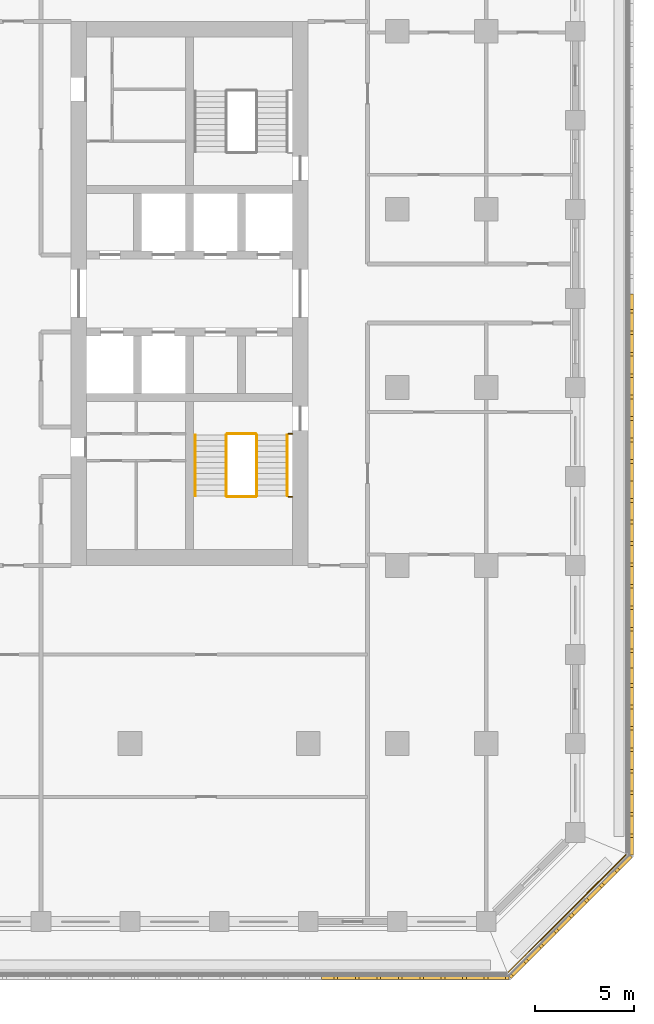
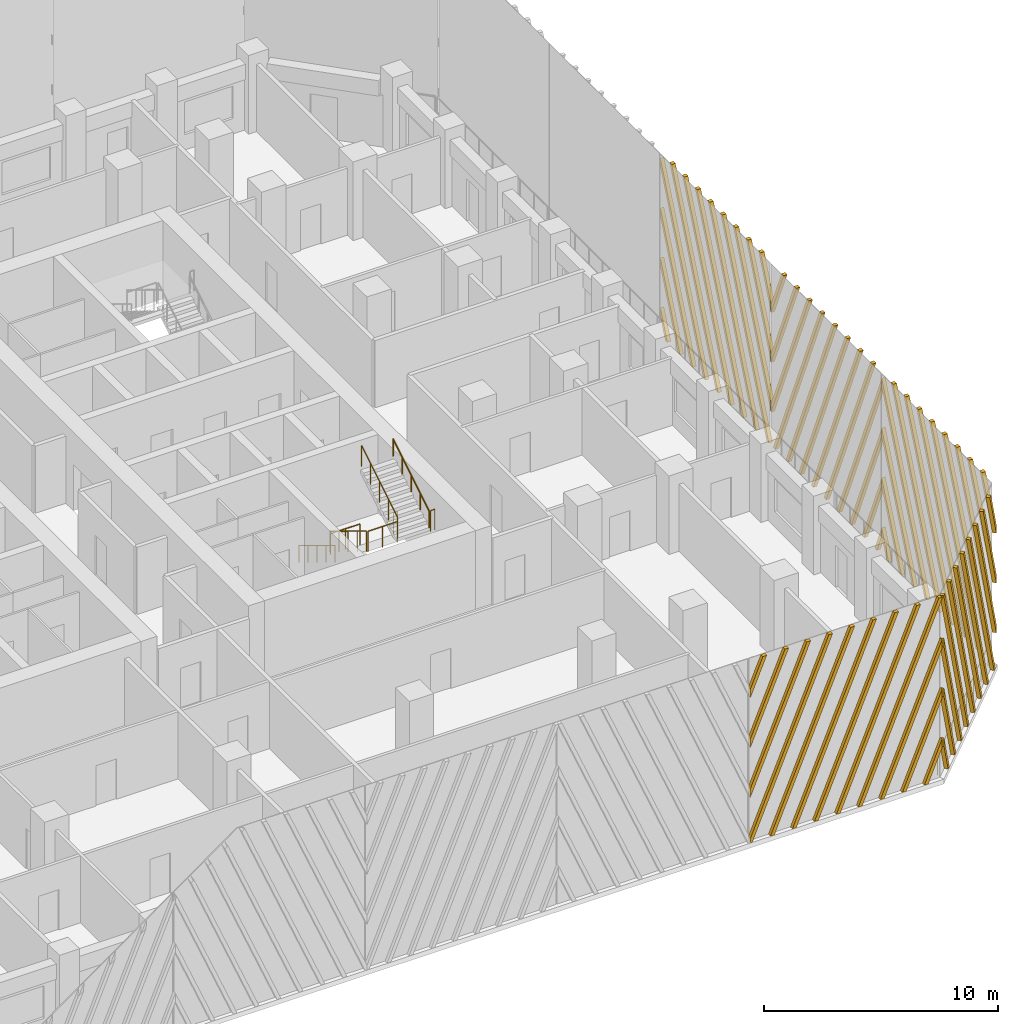
# One storey, part 12 of 17: 9 railings, 5 shading devices.
"""IFC4 building model written with IfcOpenShell, lengths in metres."""

from ifc_helpers import new_model, si_unit, direction, frame, origin, origin_2d, place, context, subcontext, project, spatial, polyline, circle, outline, extrude, source, transform, mapped, material, type_object, element, save


model = new_model("IFC4")

# Units and contexts
model_context = context("Model", 3, precision=1e-05, world=origin(), true_north=direction((0.0, 1.0)))
body_context = subcontext(model_context, "Body", "Model", "MODEL_VIEW")
ifc_project = project(units=[si_unit("LENGTHUNIT", "METRE"), si_unit("AREAUNIT", "SQUARE_METRE"), si_unit("VOLUMEUNIT", "CUBIC_METRE"), si_unit("PLANEANGLEUNIT", "RADIAN"), si_unit("MASSUNIT", "GRAM", prefix="KILO")], contexts=[model_context])

# Site, building, storey
site_placement = place(None, origin())
site = spatial("IfcSite", under=ifc_project, at=site_placement, CompositionType="ELEMENT")
building_placement = place(site_placement, origin())
building = spatial("IfcBuilding", under=site, at=building_placement, Name="Corbel Stack Research Tower", CompositionType="ELEMENT")
storey_placement = place(building_placement, frame((0.0, 0.0, 216.10009765625)))
storey = spatial("IfcBuildingStorey", under=building, at=storey_placement, Name="L49", CompositionType="ELEMENT", Elevation=216.10009765625)

# Railings
ifc_material_1 = material(Name="Steel S355", Category="steel")
railing_type_1 = type_object("IfcRailingType", Name="Stair guard 1100", PredefinedType="GUARDRAIL", material=ifc_material_1)
railing_1_placement = place(storey_placement, frame((13.85009765625, -2.39990234375, 0.170654296875)))
element("IfcRailing", 1, at=railing_1_placement, inside=storey, type_object=railing_type_1, Name="L49 ST-E1 stair guard 1", PredefinedType="GUARDRAIL", context=body_context, shape_type="SweptSolid", body=[
    extrude(circle(Radius=0.02392578125, at=origin_2d()), frame((0.0, 0.0, 1.076171875), z_axis=(0.0, -0.853666305674, 0.52082035152), x_axis=(1.0, 0.0, 0.0)), (0.0, 0.0, 1.0), 3.608154296875),
    extrude(circle(Radius=0.02099609375, at=origin_2d()), origin(), (0.0, 0.0, 1.0), 1.052001953125),
    extrude(circle(Radius=0.02099609375, at=origin_2d()), frame((0.0, -0.77001953125, 0.4697265625)), (0.0, 0.0, 1.0), 1.052001953125),
    extrude(circle(Radius=0.02099609375, at=origin_2d()), frame((0.0, -1.5400390625, 0.939453125)), (0.0, 0.0, 1.0), 1.052001953125),
    extrude(circle(Radius=0.02099609375, at=origin_2d()), frame((0.0, -2.31005859375, 1.409423828125)), (0.0, 0.0, 1.0), 1.052001953125),
    extrude(circle(Radius=0.02099609375, at=origin_2d()), frame((0.0, -3.080078125, 1.879150390625)), (0.0, 0.0, 1.0), 1.052001953125),
])
railing_2_placement = place(storey_placement, frame((13.89990234375, -5.530029296875, 2.0498046875)))
element("IfcRailing", 2, at=railing_2_placement, inside=storey, type_object=railing_type_1, Name="L49 ST-E1 stair guard 2", PredefinedType="GUARDRAIL", context=body_context, shape_type="SweptSolid", body=[
    extrude(circle(Radius=0.02392578125, at=origin_2d()), frame((0.0, 0.0, 1.076171875), z_axis=(1.0, 0.0, 0.0), x_axis=(0.0, 1.0, 0.0)), (0.0, 0.0, 1.0), 1.4501953125),
    extrude(circle(Radius=0.02099609375, at=origin_2d()), origin(), (0.0, 0.0, 1.0), 1.052001953125),
    extrude(circle(Radius=0.02099609375, at=origin_2d()), frame((0.72509765625, 0.0, 0.0)), (0.0, 0.0, 1.0), 1.052001953125),
    extrude(circle(Radius=0.02099609375, at=origin_2d()), frame((1.4501953125, 0.0, 0.0)), (0.0, 0.0, 1.0), 1.052001953125),
])
railing_3_placement = place(storey_placement, frame((17.0, -5.530029296875, 2.0498046875)))
element("IfcRailing", 3, at=railing_3_placement, inside=storey, type_object=railing_type_1, Name="L49 ST-E1 stair guard 3", PredefinedType="GUARDRAIL", context=body_context, shape_type="SweptSolid", body=[
    extrude(circle(Radius=0.02392578125, at=origin_2d()), frame((0.0, 0.0, 1.076171875), z_axis=(1.0, 0.0, 0.0), x_axis=(0.0, 1.0, 0.0)), (0.0, 0.0, 1.0), 0.199951171875),
    extrude(circle(Radius=0.02099609375, at=origin_2d()), origin(), (0.0, 0.0, 1.0), 1.052001953125),
    extrude(circle(Radius=0.02099609375, at=origin_2d()), frame((0.199951171875, 0.0, 0.0)), (0.0, 0.0, 1.0), 1.052001953125),
])
railing_4_placement = place(storey_placement, frame((15.39990234375, -5.47998046875, 2.220703125)))
element("IfcRailing", 4, at=railing_4_placement, inside=storey, type_object=railing_type_1, Name="L49 ST-E1 stair guard 4", PredefinedType="GUARDRAIL", context=body_context, shape_type="SweptSolid", body=[
    extrude(circle(Radius=0.02392578125, at=origin_2d()), frame((0.0, 0.0, 1.076171875), z_axis=(0.0, 0.853666305674, 0.52082035152), x_axis=(-1.0, 0.0, 0.0)), (0.0, 0.0, 1.0), 3.608154296875),
    extrude(circle(Radius=0.02099609375, at=origin_2d()), origin(), (0.0, 0.0, 1.0), 1.052001953125),
    extrude(circle(Radius=0.02099609375, at=origin_2d()), frame((0.0, 0.77001953125, 0.4697265625)), (0.0, 0.0, 1.0), 1.052001953125),
    extrude(circle(Radius=0.02099609375, at=origin_2d()), frame((0.0, 1.5400390625, 0.939453125)), (0.0, 0.0, 1.0), 1.052001953125),
    extrude(circle(Radius=0.02099609375, at=origin_2d()), frame((0.0, 2.31005859375, 1.409423828125)), (0.0, 0.0, 1.0), 1.052001953125),
    extrude(circle(Radius=0.02099609375, at=origin_2d()), frame((0.0, 3.080078125, 1.879150390625)), (0.0, 0.0, 1.0), 1.052001953125),
])
railing_5_placement = place(storey_placement, frame((13.89990234375, -2.35009765625, 0.0)))
element("IfcRailing", 5, at=railing_5_placement, inside=storey, type_object=railing_type_1, Name="L49 ST-E1 stair guard 5", PredefinedType="GUARDRAIL", context=body_context, shape_type="SweptSolid", body=[
    extrude(circle(Radius=0.02392578125, at=origin_2d()), frame((0.0, 0.0, 1.076171875), z_axis=(1.0, 0.0, 0.0), x_axis=(0.0, 1.0, 0.0)), (0.0, 0.0, 1.0), 1.4501953125),
    extrude(circle(Radius=0.02099609375, at=origin_2d()), origin(), (0.0, 0.0, 1.0), 1.052001953125),
    extrude(circle(Radius=0.02099609375, at=origin_2d()), frame((0.72509765625, 0.0, 0.0)), (0.0, 0.0, 1.0), 1.052001953125),
    extrude(circle(Radius=0.02099609375, at=origin_2d()), frame((1.4501953125, 0.0, 0.0)), (0.0, 0.0, 1.0), 1.052001953125),
])
railing_6_placement = place(storey_placement, frame((17.0, -2.35009765625, 0.0)))
element("IfcRailing", 6, at=railing_6_placement, inside=storey, type_object=railing_type_1, Name="L49 ST-E1 stair guard 6", PredefinedType="GUARDRAIL", context=body_context, shape_type="SweptSolid", body=[
    extrude(circle(Radius=0.02392578125, at=origin_2d()), frame((0.0, 0.0, 1.076171875), z_axis=(1.0, 0.0, 0.0), x_axis=(0.0, 1.0, 0.0)), (0.0, 0.0, 1.0), 0.199951171875),
    extrude(circle(Radius=0.02099609375, at=origin_2d()), origin(), (0.0, 0.0, 1.0), 1.052001953125),
    extrude(circle(Radius=0.02099609375, at=origin_2d()), frame((0.199951171875, 0.0, 0.0)), (0.0, 0.0, 1.0), 1.052001953125),
])
ifc_material_2 = material(Name="Steel S355", Category="steel")
railing_type_2 = type_object("IfcRailingType", Name="Stair handrail 900", PredefinedType="HANDRAIL", material=ifc_material_2)
railing_7_placement = place(storey_placement, frame((12.300048828125, -2.39990234375, 0.170654296875)))
element("IfcRailing", 7, at=railing_7_placement, inside=storey, type_object=railing_type_2, Name="L49 ST-E1 stair handrail 1", PredefinedType="HANDRAIL", context=body_context, shape_type="SweptSolid", body=[
    extrude(circle(Radius=0.02392578125, at=origin_2d()), frame((0.0, 0.0, 0.8759765625), z_axis=(0.0, -0.853666305674, 0.52082035152), x_axis=(1.0, 0.0, 0.0)), (0.0, 0.0, 1.0), 3.608154296875),
    extrude(circle(Radius=0.02099609375, at=origin_2d()), origin(), (0.0, 0.0, 1.0), 0.851806640625),
    extrude(circle(Radius=0.02099609375, at=origin_2d()), frame((0.0, -0.77001953125, 0.4697265625)), (0.0, 0.0, 1.0), 0.851806640625),
    extrude(circle(Radius=0.02099609375, at=origin_2d()), frame((0.0, -1.5400390625, 0.939453125)), (0.0, 0.0, 1.0), 0.851806640625),
    extrude(circle(Radius=0.02099609375, at=origin_2d()), frame((0.0, -2.31005859375, 1.409423828125)), (0.0, 0.0, 1.0), 0.851806640625),
    extrude(circle(Radius=0.02099609375, at=origin_2d()), frame((0.0, -3.080078125, 1.879150390625)), (0.0, 0.0, 1.0), 0.851806640625),
])
railing_8_placement = place(storey_placement, frame((16.949951171875, -5.47998046875, 2.220703125)))
element("IfcRailing", 8, at=railing_8_placement, inside=storey, type_object=railing_type_2, Name="L49 ST-E1 stair handrail 2", PredefinedType="HANDRAIL", context=body_context, shape_type="SweptSolid", body=[
    extrude(circle(Radius=0.02392578125, at=origin_2d()), frame((0.0, 0.0, 0.8759765625), z_axis=(0.0, 0.853666305674, 0.52082035152), x_axis=(-1.0, 0.0, 0.0)), (0.0, 0.0, 1.0), 3.608154296875),
    extrude(circle(Radius=0.02099609375, at=origin_2d()), origin(), (0.0, 0.0, 1.0), 0.851806640625),
    extrude(circle(Radius=0.02099609375, at=origin_2d()), frame((0.0, 0.77001953125, 0.4697265625)), (0.0, 0.0, 1.0), 0.851806640625),
    extrude(circle(Radius=0.02099609375, at=origin_2d()), frame((0.0, 1.5400390625, 0.939453125)), (0.0, 0.0, 1.0), 0.851806640625),
    extrude(circle(Radius=0.02099609375, at=origin_2d()), frame((0.0, 2.31005859375, 1.409423828125)), (0.0, 0.0, 1.0), 0.851806640625),
    extrude(circle(Radius=0.02099609375, at=origin_2d()), frame((0.0, 3.080078125, 1.879150390625)), (0.0, 0.0, 1.0), 0.851806640625),
])
ifc_material_3 = material(Name="Powder-coated steel guard", Category="steel")
railing_type_3 = type_object("IfcRailingType", Name="Steel and glass guard 1100", PredefinedType="GUARDRAIL", material=ifc_material_3)
railing_9_placement = place(storey_placement, frame((28.127685546875, -29.54931640625, 0.0)))
element("IfcRailing", 9, at=railing_9_placement, inside=storey, type_object=railing_type_3, Name="Loggia guard L49 SE", PredefinedType="GUARDRAIL", context=body_context, shape_type="SweptSolid", body=[
    extrude(circle(Radius=0.02392578125, at=origin_2d()), frame((0.0, 0.0, 1.076171875), z_axis=(0.707106781187, 0.707106781187, 0.0), x_axis=(-0.707106781187, 0.707106781187, 0.0)), (0.0, 0.0, 1.0), 8.37451171875),
    extrude(circle(Radius=0.02099609375, at=origin_2d()), origin(), (0.0, 0.0, 1.0), 1.052001953125),
    extrude(circle(Radius=0.02099609375, at=origin_2d()), frame((0.845947265625, 0.845947265625, 0.0)), (0.0, 0.0, 1.0), 1.052001953125),
    extrude(circle(Radius=0.02099609375, at=origin_2d()), frame((1.69189453125, 1.69189453125, 0.0)), (0.0, 0.0, 1.0), 1.052001953125),
    extrude(circle(Radius=0.02099609375, at=origin_2d()), frame((2.537841796875, 2.537841796875, 0.0)), (0.0, 0.0, 1.0), 1.052001953125),
    extrude(circle(Radius=0.02099609375, at=origin_2d()), frame((3.3837890625, 3.3837890625, 0.0)), (0.0, 0.0, 1.0), 1.052001953125),
    extrude(circle(Radius=0.02099609375, at=origin_2d()), frame((4.229736328125, 4.229736328125, 0.0)), (0.0, 0.0, 1.0), 1.052001953125),
    extrude(circle(Radius=0.02099609375, at=origin_2d()), frame((5.07568359375, 5.07568359375, 0.0)), (0.0, 0.0, 1.0), 1.052001953125),
    extrude(circle(Radius=0.02099609375, at=origin_2d()), frame((5.921630859375, 5.921630859375, 0.0)), (0.0, 0.0, 1.0), 1.052001953125),
])

# Shading devices
ifc_material_4 = material(Name="Precast terracotta", Category="masonry")
shading_device_type = type_object("IfcShadingDeviceType", Name="Terracotta screen panel", PredefinedType="USERDEFINED", material=ifc_material_4)
shared_shape_1 = source(origin(), body_context, "Body", "SweptSolid", [
    extrude(outline(polyline([(0.80859375, 9.5), (0.618408203125, 9.5), (0.0, 8.01904296875), (0.0, 7.564208984375), (0.80859375, 9.5)])), frame((0.0, 0.0, 0.0), z_axis=(0.0, -1.0, 0.0), x_axis=(1.0, 0.0, 0.0)), (0.0, 0.0, 1.0), 0.179931640625),
    extrude(outline(polyline([(1.893310546875, 9.5), (1.703125, 9.5), (0.0, 5.421875), (0.0, 4.966796875), (1.893310546875, 9.5)])), frame((0.0, 0.0, 0.0), z_axis=(0.0, -1.0, 0.0), x_axis=(1.0, 0.0, 0.0)), (0.0, 0.0, 1.0), 0.179931640625),
    extrude(outline(polyline([(2.977783203125, 9.5), (2.787841796875, 9.5), (0.0, 2.82470703125), (0.0, 2.36962890625), (2.977783203125, 9.5)])), frame((0.0, 0.0, 0.0), z_axis=(0.0, -1.0, 0.0), x_axis=(1.0, 0.0, 0.0)), (0.0, 0.0, 1.0), 0.179931640625),
    extrude(outline(polyline([(0.094970703125, 0.0), (4.0625, 9.5), (3.87255859375, 9.5), (0.0, 0.2275390625), (0.0, 0.0), (0.094970703125, 0.0)])), frame((0.0, 0.0, 0.0), z_axis=(0.0, -1.0, 0.0), x_axis=(1.0, 0.0, 0.0)), (0.0, 0.0, 1.0), 0.179931640625),
    extrude(outline(polyline([(1.1796875, 0.0), (5.147216796875, 9.5), (4.957275390625, 9.5), (0.98974609375, 0.0), (1.1796875, 0.0)])), frame((0.0, 0.0, 0.0), z_axis=(0.0, -1.0, 0.0), x_axis=(1.0, 0.0, 0.0)), (0.0, 0.0, 1.0), 0.179931640625),
    extrude(outline(polyline([(2.264404296875, 0.0), (6.231689453125, 9.5), (6.041748046875, 9.5), (2.07421875, 0.0), (2.264404296875, 0.0)])), frame((0.0, 0.0, 0.0), z_axis=(0.0, -1.0, 0.0), x_axis=(1.0, 0.0, 0.0)), (0.0, 0.0, 1.0), 0.179931640625),
    extrude(outline(polyline([(3.34912109375, 0.0), (7.31640625, 9.5), (7.12646484375, 9.5), (3.158935546875, 0.0), (3.34912109375, 0.0)])), frame((0.0, 0.0, 0.0), z_axis=(0.0, -1.0, 0.0), x_axis=(1.0, 0.0, 0.0)), (0.0, 0.0, 1.0), 0.179931640625),
    extrude(outline(polyline([(4.43359375, 0.0), (8.401123046875, 9.5), (8.211181640625, 9.5), (4.24365234375, 0.0), (4.43359375, 0.0)])), frame((0.0, 0.0, 0.0), z_axis=(0.0, -1.0, 0.0), x_axis=(1.0, 0.0, 0.0)), (0.0, 0.0, 1.0), 0.179931640625),
    extrude(outline(polyline([(5.518310546875, 0.0), (9.45556640625, 9.427734375), (9.45556640625, 9.5), (9.2958984375, 9.5), (5.328369140625, 0.0), (5.518310546875, 0.0)])), frame((0.0, 0.0, 0.0), z_axis=(0.0, -1.0, 0.0), x_axis=(1.0, 0.0, 0.0)), (0.0, 0.0, 1.0), 0.179931640625),
    extrude(outline(polyline([(6.60302734375, 0.0), (9.45556640625, 6.83056640625), (9.45556640625, 7.285400390625), (6.4130859375, 0.0), (6.60302734375, 0.0)])), frame((0.0, 0.0, 0.0), z_axis=(0.0, -1.0, 0.0), x_axis=(1.0, 0.0, 0.0)), (0.0, 0.0, 1.0), 0.179931640625),
    extrude(outline(polyline([(7.687744140625, 0.0), (9.45556640625, 4.2333984375), (9.45556640625, 4.688232421875), (7.497802734375, 0.0), (7.687744140625, 0.0)])), frame((0.0, 0.0, 0.0), z_axis=(0.0, -1.0, 0.0), x_axis=(1.0, 0.0, 0.0)), (0.0, 0.0, 1.0), 0.179931640625),
    extrude(outline(polyline([(8.772216796875, 0.0), (9.45556640625, 1.635986328125), (9.45556640625, 2.091064453125), (8.582275390625, 0.0), (8.772216796875, 0.0)])), frame((0.0, 0.0, 0.0), z_axis=(0.0, -1.0, 0.0), x_axis=(1.0, 0.0, 0.0)), (0.0, 0.0, 1.0), 0.179931640625),
])
shading_device_1_placement = place(storey_placement, frame((18.68359375, -29.75, 0.0), z_axis=(0.0, 0.0, 1.0), x_axis=(1.0, 0.0, 0.0)))
element("IfcShadingDevice", 10, at=shading_device_1_placement, inside=storey, type_object=shading_device_type, Name="Terracotta screen L49 S5", ObjectType="SCREEN", PredefinedType="USERDEFINED", context=body_context, shape_type="MappedRepresentation", body=[
    mapped(shared_shape_1, transform((0.0, 0.0, 0.0))),
])
shared_shape_2 = source(origin(), body_context, "Body", "SweptSolid", [
    extrude(outline(polyline([(0.873291015625, 0.0), (0.0, 2.091064453125), (0.0, 1.635986328125), (0.683349609375, 0.0), (0.873291015625, 0.0)])), frame((0.0, 0.0, 0.0), z_axis=(0.0, -1.0, 0.0), x_axis=(1.0, 0.0, 0.0)), (0.0, 0.0, 1.0), 0.179931640625),
    extrude(outline(polyline([(1.9580078125, 0.0), (0.0, 4.688232421875), (0.0, 4.2333984375), (1.76806640625, 0.0), (1.9580078125, 0.0)])), frame((0.0, 0.0, 0.0), z_axis=(0.0, -1.0, 0.0), x_axis=(1.0, 0.0, 0.0)), (0.0, 0.0, 1.0), 0.179931640625),
    extrude(outline(polyline([(3.04248046875, 0.0), (0.0, 7.285400390625), (0.0, 6.83056640625), (2.8525390625, 0.0), (3.04248046875, 0.0)])), frame((0.0, 0.0, 0.0), z_axis=(0.0, -1.0, 0.0), x_axis=(1.0, 0.0, 0.0)), (0.0, 0.0, 1.0), 0.179931640625),
    extrude(outline(polyline([(4.127197265625, 0.0), (0.159912109375, 9.5), (0.0, 9.5), (0.0, 9.427734375), (3.937255859375, 0.0), (4.127197265625, 0.0)])), frame((0.0, 0.0, 0.0), z_axis=(0.0, -1.0, 0.0), x_axis=(1.0, 0.0, 0.0)), (0.0, 0.0, 1.0), 0.179931640625),
    extrude(outline(polyline([(5.2119140625, 0.0), (1.244384765625, 9.5), (1.054443359375, 9.5), (5.02197265625, 0.0), (5.2119140625, 0.0)])), frame((0.0, 0.0, 0.0), z_axis=(0.0, -1.0, 0.0), x_axis=(1.0, 0.0, 0.0)), (0.0, 0.0, 1.0), 0.179931640625),
    extrude(outline(polyline([(6.296630859375, 0.0), (2.3291015625, 9.5), (2.13916015625, 9.5), (6.106689453125, 0.0), (6.296630859375, 0.0)])), frame((0.0, 0.0, 0.0), z_axis=(0.0, -1.0, 0.0), x_axis=(1.0, 0.0, 0.0)), (0.0, 0.0, 1.0), 0.179931640625),
    extrude(outline(polyline([(7.38134765625, 0.0), (3.413818359375, 9.5), (3.223876953125, 9.5), (7.19140625, 0.0), (7.38134765625, 0.0)])), frame((0.0, 0.0, 0.0), z_axis=(0.0, -1.0, 0.0), x_axis=(1.0, 0.0, 0.0)), (0.0, 0.0, 1.0), 0.179931640625),
    extrude(outline(polyline([(8.466064453125, 0.0), (4.49853515625, 9.5), (4.30859375, 9.5), (8.27587890625, 0.0), (8.466064453125, 0.0)])), frame((0.0, 0.0, 0.0), z_axis=(0.0, -1.0, 0.0), x_axis=(1.0, 0.0, 0.0)), (0.0, 0.0, 1.0), 0.179931640625),
    extrude(outline(polyline([(5.5830078125, 9.5), (5.39306640625, 9.5), (8.64208984375, 1.720458984375), (8.64208984375, 2.17529296875), (5.5830078125, 9.5)])), frame((0.0, 0.0, 0.0), z_axis=(0.0, -1.0, 0.0), x_axis=(1.0, 0.0, 0.0)), (0.0, 0.0, 1.0), 0.179931640625),
    extrude(outline(polyline([(6.667724609375, 9.5), (6.477783203125, 9.5), (8.64208984375, 4.317626953125), (8.64208984375, 4.7724609375), (6.667724609375, 9.5)])), frame((0.0, 0.0, 0.0), z_axis=(0.0, -1.0, 0.0), x_axis=(1.0, 0.0, 0.0)), (0.0, 0.0, 1.0), 0.179931640625),
    extrude(outline(polyline([(7.75244140625, 9.5), (7.5625, 9.5), (8.64208984375, 6.914794921875), (8.64208984375, 7.36962890625), (7.75244140625, 9.5)])), frame((0.0, 0.0, 0.0), z_axis=(0.0, -1.0, 0.0), x_axis=(1.0, 0.0, 0.0)), (0.0, 0.0, 1.0), 0.179931640625),
])
shading_device_2_placement = place(storey_placement, frame((28.13916015625, -29.75, 0.0), z_axis=(0.0, 0.0, 1.0), x_axis=(0.707106781187, 0.707106781187, 0.0)))
element("IfcShadingDevice", 11, at=shading_device_2_placement, inside=storey, type_object=shading_device_type, Name="Terracotta screen L49 SE1", ObjectType="SCREEN", PredefinedType="USERDEFINED", context=body_context, shape_type="MappedRepresentation", body=[
    mapped(shared_shape_2, transform((0.0, 0.0, 0.0))),
])
shared_shape_3 = source(origin(), body_context, "Body", "SweptSolid", [
    extrude(outline(polyline([(1.07958984375, 9.5), (0.8896484375, 9.5), (0.0, 7.36962890625), (0.0, 6.914794921875), (1.07958984375, 9.5)])), frame((0.0, 0.0, 0.0), z_axis=(0.0, -1.0, 0.0), x_axis=(1.0, 0.0, 0.0)), (0.0, 0.0, 1.0), 0.179931640625),
    extrude(outline(polyline([(2.164306640625, 9.5), (1.974365234375, 9.5), (0.0, 4.7724609375), (0.0, 4.317626953125), (2.164306640625, 9.5)])), frame((0.0, 0.0, 0.0), z_axis=(0.0, -1.0, 0.0), x_axis=(1.0, 0.0, 0.0)), (0.0, 0.0, 1.0), 0.179931640625),
    extrude(outline(polyline([(3.2490234375, 9.5), (3.05908203125, 9.5), (0.0, 2.17529296875), (0.0, 1.720458984375), (3.2490234375, 9.5)])), frame((0.0, 0.0, 0.0), z_axis=(0.0, -1.0, 0.0), x_axis=(1.0, 0.0, 0.0)), (0.0, 0.0, 1.0), 0.179931640625),
    extrude(outline(polyline([(0.3662109375, 0.0), (4.333740234375, 9.5), (4.143798828125, 9.5), (0.17626953125, 0.0), (0.3662109375, 0.0)])), frame((0.0, 0.0, 0.0), z_axis=(0.0, -1.0, 0.0), x_axis=(1.0, 0.0, 0.0)), (0.0, 0.0, 1.0), 0.179931640625),
    extrude(outline(polyline([(1.45068359375, 0.0), (5.418212890625, 9.5), (5.228271484375, 9.5), (1.2607421875, 0.0), (1.45068359375, 0.0)])), frame((0.0, 0.0, 0.0), z_axis=(0.0, -1.0, 0.0), x_axis=(1.0, 0.0, 0.0)), (0.0, 0.0, 1.0), 0.179931640625),
    extrude(outline(polyline([(2.535400390625, 0.0), (6.5029296875, 9.5), (6.31298828125, 9.5), (2.345458984375, 0.0), (2.535400390625, 0.0)])), frame((0.0, 0.0, 0.0), z_axis=(0.0, -1.0, 0.0), x_axis=(1.0, 0.0, 0.0)), (0.0, 0.0, 1.0), 0.179931640625),
    extrude(outline(polyline([(3.6201171875, 0.0), (7.587646484375, 9.5), (7.397705078125, 9.5), (3.43017578125, 0.0), (3.6201171875, 0.0)])), frame((0.0, 0.0, 0.0), z_axis=(0.0, -1.0, 0.0), x_axis=(1.0, 0.0, 0.0)), (0.0, 0.0, 1.0), 0.179931640625),
    extrude(outline(polyline([(4.704833984375, 0.0), (8.67236328125, 9.5), (8.482421875, 9.5), (4.514892578125, 0.0), (4.704833984375, 0.0)])), frame((0.0, 0.0, 0.0), z_axis=(0.0, -1.0, 0.0), x_axis=(1.0, 0.0, 0.0)), (0.0, 0.0, 1.0), 0.179931640625),
    extrude(outline(polyline([(5.78955078125, 0.0), (9.45556640625, 8.7783203125), (9.45556640625, 9.2333984375), (5.599609375, 0.0), (5.78955078125, 0.0)])), frame((0.0, 0.0, 0.0), z_axis=(0.0, -1.0, 0.0), x_axis=(1.0, 0.0, 0.0)), (0.0, 0.0, 1.0), 0.179931640625),
    extrude(outline(polyline([(6.874267578125, 0.0), (9.45556640625, 6.18115234375), (9.45556640625, 6.63623046875), (6.68408203125, 0.0), (6.874267578125, 0.0)])), frame((0.0, 0.0, 0.0), z_axis=(0.0, -1.0, 0.0), x_axis=(1.0, 0.0, 0.0)), (0.0, 0.0, 1.0), 0.179931640625),
    extrude(outline(polyline([(7.958740234375, 0.0), (9.45556640625, 3.583984375), (9.45556640625, 4.0390625), (7.768798828125, 0.0), (7.958740234375, 0.0)])), frame((0.0, 0.0, 0.0), z_axis=(0.0, -1.0, 0.0), x_axis=(1.0, 0.0, 0.0)), (0.0, 0.0, 1.0), 0.179931640625),
    extrude(outline(polyline([(9.04345703125, 0.0), (9.45556640625, 0.98681640625), (9.45556640625, 1.44189453125), (8.853515625, 0.0), (9.04345703125, 0.0)])), frame((0.0, 0.0, 0.0), z_axis=(0.0, -1.0, 0.0), x_axis=(1.0, 0.0, 0.0)), (0.0, 0.0, 1.0), 0.179931640625),
])
for number, where, z_axis, x_axis, name in (
    (12, (34.25, -23.63916015625, 0.0), (0.0, 0.0, 1.0), (0.0, 1.0, 0.0), "Terracotta screen L49 E1"),
    (13, (34.25, -4.727783203125, 0.0), (0.0, 0.0, 1.0), (0.0, 1.0, 0.0), "Terracotta screen L49 E3"),
):
    element("IfcShadingDevice", number, at=place(storey_placement, frame(where, z_axis=z_axis, x_axis=x_axis)), inside=storey, type_object=shading_device_type, Name=name, ObjectType="SCREEN", PredefinedType="USERDEFINED", context=body_context, shape_type="MappedRepresentation", body=[
        mapped(shared_shape_3, transform((0.0, 0.0, 0.0))),
    ])
shared_shape_4 = source(origin(), body_context, "Body", "SweptSolid", [
    extrude(outline(polyline([(0.60205078125, 0.0), (0.0, 1.44189453125), (0.0, 0.98681640625), (0.412109375, 0.0), (0.60205078125, 0.0)])), frame((0.0, 0.0, 0.0), z_axis=(0.0, -1.0, 0.0), x_axis=(1.0, 0.0, 0.0)), (0.0, 0.0, 1.0), 0.179931640625),
    extrude(outline(polyline([(1.686767578125, 0.0), (0.0, 4.0390625), (0.0, 3.583984375), (1.496826171875, 0.0), (1.686767578125, 0.0)])), frame((0.0, 0.0, 0.0), z_axis=(0.0, -1.0, 0.0), x_axis=(1.0, 0.0, 0.0)), (0.0, 0.0, 1.0), 0.179931640625),
    extrude(outline(polyline([(2.771484375, 0.0), (0.0, 6.63623046875), (0.0, 6.18115234375), (2.58154296875, 0.0), (2.771484375, 0.0)])), frame((0.0, 0.0, 0.0), z_axis=(0.0, -1.0, 0.0), x_axis=(1.0, 0.0, 0.0)), (0.0, 0.0, 1.0), 0.179931640625),
    extrude(outline(polyline([(3.856201171875, 0.0), (0.0, 9.2333984375), (0.0, 8.7783203125), (3.666015625, 0.0), (3.856201171875, 0.0)])), frame((0.0, 0.0, 0.0), z_axis=(0.0, -1.0, 0.0), x_axis=(1.0, 0.0, 0.0)), (0.0, 0.0, 1.0), 0.179931640625),
    extrude(outline(polyline([(4.94091796875, 0.0), (0.973388671875, 9.5), (0.783203125, 9.5), (4.750732421875, 0.0), (4.94091796875, 0.0)])), frame((0.0, 0.0, 0.0), z_axis=(0.0, -1.0, 0.0), x_axis=(1.0, 0.0, 0.0)), (0.0, 0.0, 1.0), 0.179931640625),
    extrude(outline(polyline([(6.025390625, 0.0), (2.05810546875, 9.5), (1.867919921875, 9.5), (5.83544921875, 0.0), (6.025390625, 0.0)])), frame((0.0, 0.0, 0.0), z_axis=(0.0, -1.0, 0.0), x_axis=(1.0, 0.0, 0.0)), (0.0, 0.0, 1.0), 0.179931640625),
    extrude(outline(polyline([(7.110107421875, 0.0), (3.142578125, 9.5), (2.95263671875, 9.5), (6.920166015625, 0.0), (7.110107421875, 0.0)])), frame((0.0, 0.0, 0.0), z_axis=(0.0, -1.0, 0.0), x_axis=(1.0, 0.0, 0.0)), (0.0, 0.0, 1.0), 0.179931640625),
    extrude(outline(polyline([(8.19482421875, 0.0), (4.227294921875, 9.5), (4.037353515625, 9.5), (8.0048828125, 0.0), (8.19482421875, 0.0)])), frame((0.0, 0.0, 0.0), z_axis=(0.0, -1.0, 0.0), x_axis=(1.0, 0.0, 0.0)), (0.0, 0.0, 1.0), 0.179931640625),
    extrude(outline(polyline([(9.279541015625, 0.0), (5.31201171875, 9.5), (5.1220703125, 9.5), (9.089599609375, 0.0), (9.279541015625, 0.0)])), frame((0.0, 0.0, 0.0), z_axis=(0.0, -1.0, 0.0), x_axis=(1.0, 0.0, 0.0)), (0.0, 0.0, 1.0), 0.179931640625),
    extrude(outline(polyline([(6.396484375, 9.5), (6.20654296875, 9.5), (9.45556640625, 1.720458984375), (9.45556640625, 2.17529296875), (6.396484375, 9.5)])), frame((0.0, 0.0, 0.0), z_axis=(0.0, -1.0, 0.0), x_axis=(1.0, 0.0, 0.0)), (0.0, 0.0, 1.0), 0.179931640625),
    extrude(outline(polyline([(7.481201171875, 9.5), (7.291259765625, 9.5), (9.45556640625, 4.317626953125), (9.45556640625, 4.7724609375), (7.481201171875, 9.5)])), frame((0.0, 0.0, 0.0), z_axis=(0.0, -1.0, 0.0), x_axis=(1.0, 0.0, 0.0)), (0.0, 0.0, 1.0), 0.179931640625),
    extrude(outline(polyline([(8.56591796875, 9.5), (8.3759765625, 9.5), (9.45556640625, 6.914794921875), (9.45556640625, 7.36962890625), (8.56591796875, 9.5)])), frame((0.0, 0.0, 0.0), z_axis=(0.0, -1.0, 0.0), x_axis=(1.0, 0.0, 0.0)), (0.0, 0.0, 1.0), 0.179931640625),
])
shading_device_3_placement = place(storey_placement, frame((34.25, -14.18359375, 0.0), z_axis=(0.0, 0.0, 1.0), x_axis=(0.0, 1.0, 0.0)))
element("IfcShadingDevice", 14, at=shading_device_3_placement, inside=storey, type_object=shading_device_type, Name="Terracotta screen L49 E2", ObjectType="SCREEN", PredefinedType="USERDEFINED", context=body_context, shape_type="MappedRepresentation", body=[
    mapped(shared_shape_4, transform((0.0, 0.0, 0.0))),
])

save(model, "model.ifc")
